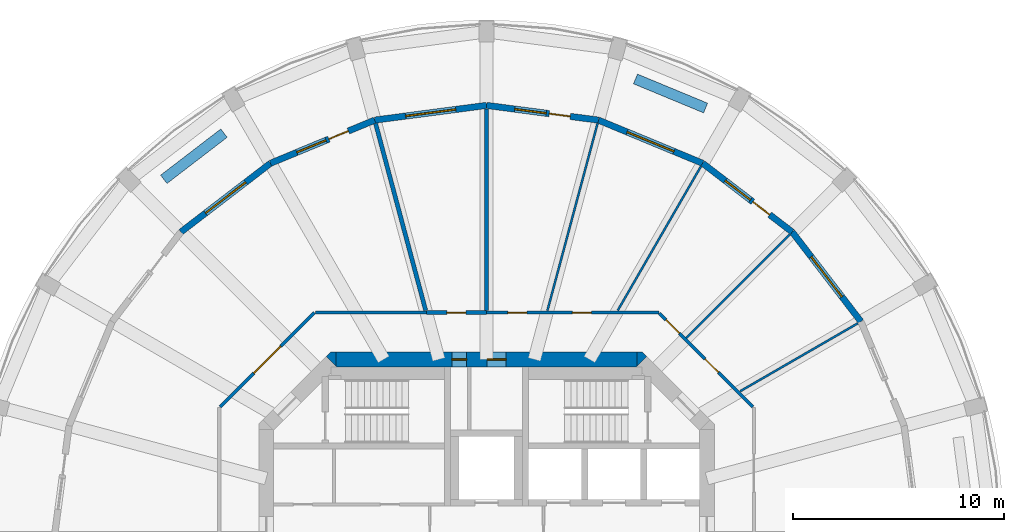
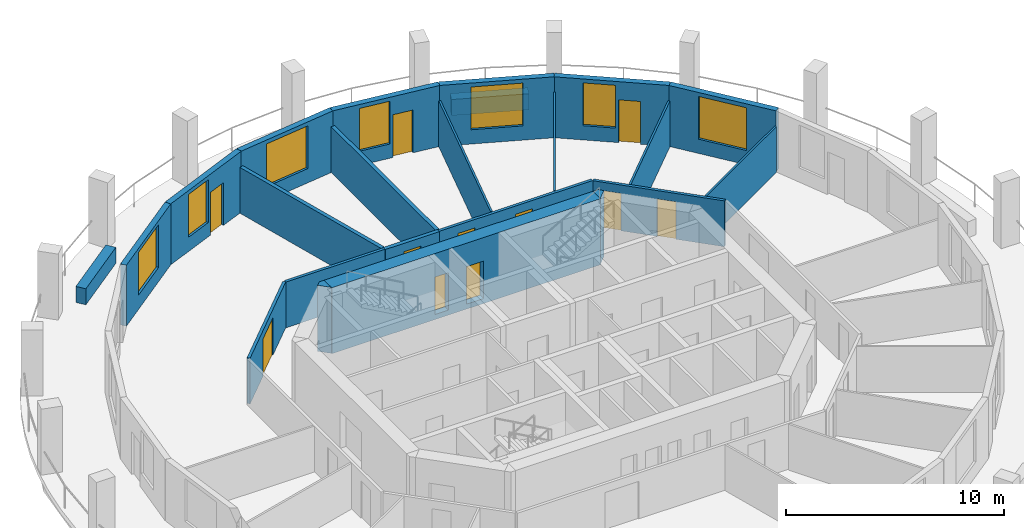
# One storey, part 6 of 9: 23 walls, 11 doors, 7 windows, 18 openings.
"""IFC4 building model written with IfcOpenShell, lengths in metres."""

from ifc_helpers import new_model, si_unit, direction, frame, frame_2d, origin, place, context, subcontext, project, spatial, polyline, rectangle, outline, extrude, material, layer, layer_set, type_object, element, fill, save


model = new_model("IFC4")

# Units and contexts
model_context = context("Model", 3, precision=1e-05, world=origin(), true_north=direction((0.0, 1.0)))
body_context = subcontext(model_context, "Body", "Model", "MODEL_VIEW")
ifc_project = project(units=[si_unit("LENGTHUNIT", "METRE"), si_unit("AREAUNIT", "SQUARE_METRE"), si_unit("VOLUMEUNIT", "CUBIC_METRE"), si_unit("PLANEANGLEUNIT", "RADIAN"), si_unit("MASSUNIT", "GRAM", prefix="KILO")], contexts=[model_context])

# Site, building, storey
site_placement = place(None, origin())
site = spatial("IfcSite", under=ifc_project, at=site_placement, CompositionType="ELEMENT")
building_placement = place(site_placement, origin())
building = spatial("IfcBuilding", under=site, at=building_placement, Name="Torre Triforio", CompositionType="ELEMENT")
storey_placement = place(building_placement, frame((0.0, 0.0, 226.10009765625)))
storey = spatial("IfcBuildingStorey", under=building, at=storey_placement, Name="L51", CompositionType="ELEMENT", Elevation=226.10009765625)

# Wall, openings, doors
ifc_material_1 = material(Name="Concrete C50", Category="concrete")
ifc_layer_1 = layer(ifc_material_1, 0.699951171875)
ifc_layer_set_1 = layer_set([ifc_layer_1], Name="Concrete C50")
wall_type_1 = type_object("IfcWallType", Name="Core wall 700 mm C50 EI 120", PredefinedType="SHEAR", material=ifc_layer_set_1)
wall_1_placement = place(storey_placement, frame((-7.1298828125, 8.449951171875, -0.280029296875), z_axis=(0.0, 0.0, 1.0), x_axis=(1.0, 0.0, 0.0)))
wall_1 = element("IfcWall", 1, at=wall_1_placement, inside=storey, type_object=wall_type_1, Name="Core wall", PredefinedType="SHEAR", context=body_context, shape_type="SweptSolid", body=[
    extrude(rectangle(XDim=14.259765625, YDim=0.699951171875, at=frame_2d((7.1298828125, 0.0))), origin(), (0.0, 0.0, 1.0), 3.699951171875),
])
opening_1_placement = place(wall_1_placement, frame((5.47998046875, 0.0, 0.280029296875)))
opening_1 = element("IfcOpeningElement", 2, at=opening_1_placement, cuts=wall_1, Name="Opening RISER-N", PredefinedType="OPENING", context=body_context, shape_type="SweptSolid", body=[
    extrude(rectangle(XDim=0.699951171875, YDim=2.10009765625, at=frame_2d((0.35009765625, 1.050048828125))), frame((0.0, 0.35986328125, 0.0), z_axis=(0.0, -1.0, 0.0), x_axis=(1.0, 0.0, 0.0)), (0.0, 0.0, 1.0), 0.719970703125),
])
opening_2_placement = place(wall_1_placement, frame((7.155029296875, 0.0, 0.280029296875)))
opening_2 = element("IfcOpeningElement", 3, at=opening_2_placement, cuts=wall_1, Name="Opening NE-01", PredefinedType="OPENING", context=body_context, shape_type="SweptSolid", body=[
    extrude(rectangle(XDim=0.89990234375, YDim=2.10009765625, at=frame_2d((0.449951171875, 1.050048828125))), frame((0.0, 0.35986328125, 0.0), z_axis=(0.0, -1.0, 0.0), x_axis=(1.0, 0.0, 0.0)), (0.0, 0.0, 1.0), 0.719970703125),
])
ifc_material_2 = material(Name="Hollow metal fire door leaf")
door_type_1 = type_object("IfcDoorType", Name="Riser door 700 x 2100 EI 60", OperationType="NOTDEFINED", PredefinedType="DOOR", material=ifc_material_2)
door_1_placement = place(opening_1_placement, origin())
door_1 = element("IfcDoor", 4, at=door_1_placement, inside=storey, type_object=door_type_1, Name="Core door RISER-N", OperationType="SINGLE_SWING_LEFT", OverallHeight=2.10009765625, OverallWidth=0.699951171875, PredefinedType="DOOR", context=body_context, shape_type="SweptSolid", body=[
    extrude(rectangle(XDim=0.699951171875, YDim=2.10009765625, at=frame_2d((0.35009765625, 1.050048828125))), frame((0.0, 0.02490234375, 0.0), z_axis=(0.0, -1.0, 0.0), x_axis=(1.0, 0.0, 0.0)), (0.0, 0.0, 1.0), 0.050048828125),
])
fill(opening_1, door_1)
door_type_2 = type_object("IfcDoorType", Name="Room door 900 x 2100 EI 60", OperationType="NOTDEFINED", PredefinedType="DOOR", material=ifc_material_2)
door_2_placement = place(opening_2_placement, origin())
door_2 = element("IfcDoor", 5, at=door_2_placement, inside=storey, type_object=door_type_2, Name="Core door NE-01", OperationType="SINGLE_SWING_RIGHT", OverallHeight=2.10009765625, OverallWidth=0.89990234375, PredefinedType="DOOR", context=body_context, shape_type="SweptSolid", body=[
    extrude(rectangle(XDim=0.89990234375, YDim=2.10009765625, at=frame_2d((0.449951171875, 1.050048828125))), frame((0.0, 0.02490234375, 0.0), z_axis=(0.0, -1.0, 0.0), x_axis=(1.0, 0.0, 0.0)), (0.0, 0.0, 1.0), 0.050048828125),
])
fill(opening_2, door_2)

# Walls
wall_2_placement = place(storey_placement, frame((0.0, 0.0, -0.280029296875)))
element("IfcWall", 6, at=wall_2_placement, inside=storey, type_object=wall_type_1, Name="Core wall", PredefinedType="SHEAR", context=body_context, shape_type="SweptSolid", body=[
    extrude(outline(polyline([(-7.389892578125, 8.800048828125), (-7.1298828125, 8.800048828125), (-7.1298828125, 8.800048828125), (-7.1298828125, 8.1298828125), (-7.594970703125, 8.594970703125), (-7.594970703125, 8.594970703125), (-7.594970703125, 8.594970703125), (-7.389892578125, 8.800048828125)])), origin(), (0.0, 0.0, 1.0), 3.699951171875),
])
wall_3_placement = place(storey_placement, frame((0.0, 0.0, -0.280029296875)))
element("IfcWall", 7, at=wall_3_placement, inside=storey, type_object=wall_type_1, Name="Core wall", PredefinedType="SHEAR", context=body_context, shape_type="SweptSolid", body=[
    extrude(outline(polyline([(7.389892578125, 8.800048828125), (7.594970703125, 8.594970703125), (7.594970703125, 8.594970703125), (7.594970703125, 8.594970703125), (7.1298828125, 8.1298828125), (7.1298828125, 8.800048828125), (7.1298828125, 8.800048828125), (7.389892578125, 8.800048828125)])), origin(), (0.0, 0.0, 1.0), 3.699951171875),
])

# Wall, opening, door
ifc_material_3 = material(Name="Plasterboard on metal studs")
ifc_layer_2 = layer(ifc_material_3, 0.14990234375)
ifc_layer_set_2 = layer_set([ifc_layer_2], Name="Plasterboard on metal studs")
wall_type_2 = type_object("IfcWallType", Name="Corridor and tenancy wall 150 mm EI 60", PredefinedType="PARTITIONING", material=ifc_layer_set_2)
wall_4_placement = place(storey_placement, frame((-12.637939453125, 6.20361328125, 0.0), z_axis=(0.0, 0.0, 1.0), x_axis=(0.707106781187, 0.707106781187, 0.0)))
wall_4 = element("IfcWall", 8, at=wall_4_placement, inside=storey, type_object=wall_type_2, Name="Partition 5", PredefinedType="PARTITIONING", context=body_context, shape_type="SweptSolid", body=[
    extrude(rectangle(XDim=6.323486328125, YDim=0.14990234375, at=frame_2d((3.16162109375, 0.0))), origin(), (0.0, 0.0, 1.0), 2.56982421875),
])
opening_3_placement = place(wall_4_placement, frame((2.26171875, 0.0, 0.0)))
opening_3 = element("IfcOpeningElement", 9, at=opening_3_placement, cuts=wall_4, Name="Opening O7-01", PredefinedType="OPENING", context=body_context, shape_type="SweptSolid", body=[
    extrude(rectangle(XDim=1.800048828125, YDim=2.10009765625, at=frame_2d((0.89990234375, 1.050048828125))), frame((0.0, 0.0849609375, 0.0), z_axis=(0.0, -1.0, 0.0), x_axis=(1.0, 0.0, 0.0)), (0.0, 0.0, 1.0), 0.169921875),
])
ifc_material_4 = material(Name="Timber", Category="wood")
door_type_3 = type_object("IfcDoorType", Name="Door 1800 x 2100 double leaf EI 30", OperationType="DOUBLE_DOOR_SINGLE_SWING", PredefinedType="DOOR", material=ifc_material_4)
door_3_placement = place(opening_3_placement, origin())
door_3 = element("IfcDoor", 10, at=door_3_placement, inside=storey, type_object=door_type_3, Name="Door O7-01", OperationType="DOUBLE_DOOR_SINGLE_SWING", OverallHeight=2.10009765625, OverallWidth=1.800048828125, PredefinedType="DOOR", context=body_context, shape_type="SweptSolid", body=[
    extrude(rectangle(XDim=1.800048828125, YDim=2.10009765625, at=frame_2d((0.89990234375, 1.050048828125))), frame((0.0, 0.02490234375, 0.0), z_axis=(0.0, -1.0, 0.0), x_axis=(1.0, 0.0, 0.0)), (0.0, 0.0, 1.0), 0.050048828125),
])
fill(opening_3, door_3)

# Wall
wall_5_placement = place(storey_placement, frame((-8.114013671875, 10.675048828125, 0.0), z_axis=(0.0, 0.0, 1.0), x_axis=(1.0, 0.0, 0.0)))
element("IfcWall", 11, at=wall_5_placement, inside=storey, type_object=wall_type_2, Name="Partition 6", PredefinedType="PARTITIONING", context=body_context, shape_type="SweptSolid", body=[
    extrude(rectangle(XDim=5.253662109375, YDim=0.14990234375, at=frame_2d((2.626953125, 0.0))), origin(), (0.0, 0.0, 1.0), 2.56982421875),
])

# Wall, openings, doors
wall_6_placement = place(storey_placement, frame((0.0, 10.675048828125, 0.0), z_axis=(0.0, 0.0, 1.0), x_axis=(1.0, 0.0, 0.0)))
wall_6 = element("IfcWall", 12, at=wall_6_placement, inside=storey, type_object=wall_type_2, Name="Partition 8", PredefinedType="PARTITIONING", context=body_context, shape_type="SweptSolid", body=[
    extrude(rectangle(XDim=8.16650390625, YDim=0.14990234375, at=frame_2d((4.083251953125, 0.0))), origin(), (0.0, 0.0, 1.0), 2.56982421875),
])
opening_4_placement = place(wall_6_placement, frame((4.065673828125, 0.0, 0.0)))
opening_4 = element("IfcOpeningElement", 13, at=opening_4_placement, cuts=wall_6, Name="Opening O7-14", PredefinedType="OPENING", context=body_context, shape_type="SweptSolid", body=[
    extrude(rectangle(XDim=0.89990234375, YDim=2.10009765625, at=frame_2d((0.449951171875, 1.050048828125))), frame((0.0, 0.0849609375, 0.0), z_axis=(0.0, -1.0, 0.0), x_axis=(1.0, 0.0, 0.0)), (0.0, 0.0, 1.0), 0.169921875),
])
opening_5_placement = place(wall_6_placement, frame((1.006103515625, 0.0, 0.0)))
opening_5 = element("IfcOpeningElement", 14, at=opening_5_placement, cuts=wall_6, Name="Opening O7-15", PredefinedType="OPENING", context=body_context, shape_type="SweptSolid", body=[
    extrude(rectangle(XDim=0.89990234375, YDim=2.10009765625, at=frame_2d((0.449951171875, 1.050048828125))), frame((0.0, 0.0849609375, 0.0), z_axis=(0.0, -1.0, 0.0), x_axis=(1.0, 0.0, 0.0)), (0.0, 0.0, 1.0), 0.169921875),
])
door_type_4 = type_object("IfcDoorType", Name="Door 900 x 2100 single leaf EI 30", OperationType="NOTDEFINED", PredefinedType="DOOR", material=ifc_material_4)
door_4_placement = place(opening_4_placement, origin())
door_4 = element("IfcDoor", 15, at=door_4_placement, inside=storey, type_object=door_type_4, Name="Door O7-14", OperationType="SINGLE_SWING_LEFT", OverallHeight=2.10009765625, OverallWidth=0.89990234375, PredefinedType="DOOR", context=body_context, shape_type="SweptSolid", body=[
    extrude(rectangle(XDim=0.89990234375, YDim=2.10009765625, at=frame_2d((0.449951171875, 1.050048828125))), frame((0.0, 0.02490234375, 0.0), z_axis=(0.0, -1.0, 0.0), x_axis=(1.0, 0.0, 0.0)), (0.0, 0.0, 1.0), 0.050048828125),
])
fill(opening_4, door_4)
door_5_placement = place(opening_5_placement, origin())
door_5 = element("IfcDoor", 16, at=door_5_placement, inside=storey, type_object=door_type_4, Name="Door O7-15", OperationType="SINGLE_SWING_RIGHT", OverallHeight=2.10009765625, OverallWidth=0.89990234375, PredefinedType="DOOR", context=body_context, shape_type="SweptSolid", body=[
    extrude(rectangle(XDim=0.89990234375, YDim=2.10009765625, at=frame_2d((0.449951171875, 1.050048828125))), frame((0.0, 0.02490234375, 0.0), z_axis=(0.0, -1.0, 0.0), x_axis=(1.0, 0.0, 0.0)), (0.0, 0.0, 1.0), 0.050048828125),
])
fill(opening_5, door_5)

wall_7_placement = place(storey_placement, frame((8.20361328125, 10.637939453125, 0.0), z_axis=(0.0, 0.0, 1.0), x_axis=(0.707106781187, -0.707106781187, 0.0)))
wall_7 = element("IfcWall", 17, at=wall_7_placement, inside=storey, type_object=wall_type_2, Name="Partition 9", PredefinedType="PARTITIONING", context=body_context, shape_type="SweptSolid", body=[
    extrude(rectangle(XDim=6.27099609375, YDim=0.14990234375, at=frame_2d((3.135498046875, 0.0))), origin(), (0.0, 0.0, 1.0), 2.56982421875),
])
opening_6_placement = place(wall_7_placement, frame((3.056884765625, 0.0, 0.0)))
opening_6 = element("IfcOpeningElement", 18, at=opening_6_placement, cuts=wall_7, Name="Opening O7-12", PredefinedType="OPENING", context=body_context, shape_type="SweptSolid", body=[
    extrude(rectangle(XDim=0.89990234375, YDim=2.10009765625, at=frame_2d((0.449951171875, 1.050048828125))), frame((0.0, 0.0849609375, 0.0), z_axis=(0.0, -1.0, 0.0), x_axis=(1.0, 0.0, 0.0)), (0.0, 0.0, 1.0), 0.169921875),
])
opening_7_placement = place(wall_7_placement, frame((0.435546875, 0.0, 0.0)))
opening_7 = element("IfcOpeningElement", 19, at=opening_7_placement, cuts=wall_7, Name="Opening O7-13", PredefinedType="OPENING", context=body_context, shape_type="SweptSolid", body=[
    extrude(rectangle(XDim=0.89990234375, YDim=2.10009765625, at=frame_2d((0.449951171875, 1.050048828125))), frame((0.0, 0.0849609375, 0.0), z_axis=(0.0, -1.0, 0.0), x_axis=(1.0, 0.0, 0.0)), (0.0, 0.0, 1.0), 0.169921875),
])
door_6_placement = place(opening_6_placement, origin())
door_6 = element("IfcDoor", 20, at=door_6_placement, inside=storey, type_object=door_type_4, Name="Door O7-12", OperationType="SINGLE_SWING_LEFT", OverallHeight=2.10009765625, OverallWidth=0.89990234375, PredefinedType="DOOR", context=body_context, shape_type="SweptSolid", body=[
    extrude(rectangle(XDim=0.89990234375, YDim=2.10009765625, at=frame_2d((0.449951171875, 1.050048828125))), frame((0.0, 0.02490234375, 0.0), z_axis=(0.0, -1.0, 0.0), x_axis=(1.0, 0.0, 0.0)), (0.0, 0.0, 1.0), 0.050048828125),
])
fill(opening_6, door_6)
door_7_placement = place(opening_7_placement, origin())
door_7 = element("IfcDoor", 21, at=door_7_placement, inside=storey, type_object=door_type_4, Name="Door O7-13", OperationType="SINGLE_SWING_LEFT", OverallHeight=2.10009765625, OverallWidth=0.89990234375, PredefinedType="DOOR", context=body_context, shape_type="SweptSolid", body=[
    extrude(rectangle(XDim=0.89990234375, YDim=2.10009765625, at=frame_2d((0.449951171875, 1.050048828125))), frame((0.0, 0.02490234375, 0.0), z_axis=(0.0, -1.0, 0.0), x_axis=(1.0, 0.0, 0.0)), (0.0, 0.0, 1.0), 0.050048828125),
])
fill(opening_7, door_7)

# Walls
ifc_layer_3 = layer(ifc_material_3, 0.10009765625)
ifc_layer_set_3 = layer_set([ifc_layer_3], Name="Plasterboard on metal studs")
wall_type_3 = type_object("IfcWallType", Name="Partition 100 mm board on metal studs", PredefinedType="PARTITIONING", material=ifc_layer_set_3)
wall_8_placement = place(storey_placement, frame((12.025146484375, 6.94287109375, 0.0), z_axis=(0.0, 0.0, 1.0), x_axis=(0.866026773083, 0.499997628298, 0.0)))
element("IfcWall", 22, at=wall_8_placement, inside=storey, type_object=wall_type_3, Name="Partition 12", PredefinedType="PARTITIONING", context=body_context, shape_type="SweptSolid", body=[
    extrude(rectangle(XDim=6.451171875, YDim=0.10009765625, at=frame_2d((3.2255859375, 0.0))), origin(), (0.0, 0.0, 1.0), 2.56982421875),
])
wall_9_placement = place(storey_placement, frame((9.473876953125, 9.473876953125, 0.0), z_axis=(0.0, 0.0, 1.0), x_axis=(0.707106781187, 0.707106781187, 0.0)))
element("IfcWall", 23, at=wall_9_placement, inside=storey, type_object=wall_type_3, Name="Partition 13", PredefinedType="PARTITIONING", context=body_context, shape_type="SweptSolid", body=[
    extrude(rectangle(XDim=6.9384765625, YDim=0.10009765625, at=frame_2d((3.46923828125, 0.0))), origin(), (0.0, 0.0, 1.0), 2.56982421875),
])
wall_10_placement = place(storey_placement, frame((6.220703125, 10.774658203125, 0.0), z_axis=(0.0, 0.0, 1.0), x_axis=(0.500016891966, 0.866015650984, 0.0)))
element("IfcWall", 24, at=wall_10_placement, inside=storey, type_object=wall_type_3, Name="Partition 14", PredefinedType="PARTITIONING", context=body_context, shape_type="SweptSolid", body=[
    extrude(rectangle(XDim=7.895263671875, YDim=0.10009765625, at=frame_2d((3.94775390625, 0.0))), origin(), (0.0, 0.0, 1.0), 2.56982421875),
])
wall_11_placement = place(storey_placement, frame((2.88427734375, 10.764404296875, 0.0), z_axis=(0.0, 0.0, 1.0), x_axis=(0.258811310764, 0.965927898666, 0.0)))
element("IfcWall", 25, at=wall_11_placement, inside=storey, type_object=wall_type_3, Name="Partition 15", PredefinedType="PARTITIONING", context=body_context, shape_type="SweptSolid", body=[
    extrude(rectangle(XDim=9.192626953125, YDim=0.10009765625, at=frame_2d((4.59619140625, 0.0))), origin(), (0.0, 0.0, 1.0), 2.56982421875),
])

# Wall, opening, door
ifc_material_5 = material(Name="Masonry block", Category="masonry")
ifc_layer_4 = layer(ifc_material_5, 0.199951171875)
ifc_layer_set_4 = layer_set([ifc_layer_4], Name="Masonry block")
wall_type_4 = type_object("IfcWallType", Name="Plant room wall 200 mm block EI 120", PredefinedType="PARTITIONING", material=ifc_layer_set_4)
wall_12_placement = place(storey_placement, frame((-2.8603515625, 10.675048828125, 0.0), z_axis=(0.0, 0.0, 1.0), x_axis=(1.0, 0.0, 0.0)))
wall_12 = element("IfcWall", 26, at=wall_12_placement, inside=storey, type_object=wall_type_4, Name="Partition 7", PredefinedType="PARTITIONING", context=body_context, shape_type="SweptSolid", body=[
    extrude(rectangle(XDim=2.8603515625, YDim=0.199951171875, at=frame_2d((1.43017578125, 0.0))), origin(), (0.0, 0.0, 1.0), 2.56982421875),
])
opening_8_placement = place(wall_12_placement, frame((0.980224609375, 0.0, 0.0)))
opening_8 = element("IfcOpeningElement", 27, at=opening_8_placement, cuts=wall_12, Name="Opening O7-16", PredefinedType="OPENING", context=body_context, shape_type="SweptSolid", body=[
    extrude(rectangle(XDim=0.89990234375, YDim=2.10009765625, at=frame_2d((0.449951171875, 1.050048828125))), frame((0.0, 0.10986328125, 0.0), z_axis=(0.0, -1.0, 0.0), x_axis=(1.0, 0.0, 0.0)), (0.0, 0.0, 1.0), 0.219970703125),
])
door_type_5 = type_object("IfcDoorType", Name="Door 900 x 2100 single leaf EI 60", OperationType="NOTDEFINED", PredefinedType="DOOR", material=ifc_material_2)
door_8_placement = place(opening_8_placement, origin())
door_8 = element("IfcDoor", 28, at=door_8_placement, inside=storey, type_object=door_type_5, Name="Door O7-16", OperationType="SINGLE_SWING_LEFT", OverallHeight=2.10009765625, OverallWidth=0.89990234375, PredefinedType="DOOR", context=body_context, shape_type="SweptSolid", body=[
    extrude(rectangle(XDim=0.89990234375, YDim=2.10009765625, at=frame_2d((0.449951171875, 1.050048828125))), frame((0.0, 0.02490234375, 0.0), z_axis=(0.0, -1.0, 0.0), x_axis=(1.0, 0.0, 0.0)), (0.0, 0.0, 1.0), 0.050048828125),
])
fill(opening_8, door_8)

# Walls
wall_13_placement = place(storey_placement, frame((0.0, 10.77490234375, 0.0), z_axis=(0.0, 0.0, 1.0), x_axis=(0.0, 1.0, 0.0)))
element("IfcWall", 29, at=wall_13_placement, inside=storey, type_object=wall_type_4, Name="Partition 16", PredefinedType="PARTITIONING", context=body_context, shape_type="SweptSolid", body=[
    extrude(rectangle(XDim=9.561767578125, YDim=0.199951171875, at=frame_2d((4.78076171875, 0.0))), origin(), (0.0, 0.0, 1.0), 2.56982421875),
])
wall_14_placement = place(storey_placement, frame((-2.887451171875, 10.7763671875, 0.0), z_axis=(0.0, 0.0, 1.0), x_axis=(-0.258814513846, 0.965927040424, 0.0)))
element("IfcWall", 30, at=wall_14_placement, inside=storey, type_object=wall_type_4, Name="Partition 17", PredefinedType="PARTITIONING", context=body_context, shape_type="SweptSolid", body=[
    extrude(rectangle(XDim=9.18017578125, YDim=0.199951171875, at=frame_2d((4.590087890625, 0.0))), origin(), (0.0, 0.0, 1.0), 2.56982421875),
])
ifc_material_6 = material(Name="Limestone cladding", Category="masonry")
ifc_layer_5 = layer(ifc_material_6, 0.10009765625)
ifc_material_7 = material(Name="Concrete C40", Category="concrete")
ifc_layer_6 = layer(ifc_material_7, 0.39990234375)
ifc_layer_set_5 = layer_set([ifc_layer_5, ifc_layer_6], Name="Limestone cladding / Concrete C40")
wall_type_5 = type_object("IfcWallType", Name="Planter wall 500", PredefinedType="PARAPET", material=ifc_layer_set_5)
for number, where, z_axis, x_axis, name in (
    (31, (10.38818359375, 20.37548828125, 0.0), (0.0, 0.0, 1.0), (-0.923851510231, 0.38275107713, 0.0), "Planter L51 bay 05"),
    (32, (-12.45166015625, 19.18408203125, 0.0), (0.0, 0.0, 1.0), (-0.793384730612, -0.608720518162, 0.0), "Planter L51 bay 09"),
):
    element("IfcWall", number, at=place(storey_placement, frame(where, z_axis=z_axis, x_axis=x_axis)), inside=storey, type_object=wall_type_5, Name=name, PredefinedType="PARAPET", context=body_context, shape_type="SweptSolid", body=[
        extrude(rectangle(XDim=3.60009765625, YDim=0.5, at=frame_2d((1.800048828125, 0.0))), origin(), (0.0, 0.0, 1.0), 0.89990234375),
    ])

# Wall, opening, window
ifc_layer_7 = layer(ifc_material_6, 0.10009765625)
ifc_layer_8 = layer(ifc_material_7, 0.199951171875)
ifc_layer_set_6 = layer_set([ifc_layer_7, ifc_layer_8], Name="Limestone cladding / Concrete C40")
wall_type_6 = type_object("IfcWallType", Name="Stone-faced composite wall 300", PredefinedType="STANDARD", material=ifc_layer_set_6)
wall_15_placement = place(storey_placement, frame((17.75341796875, 10.25, 0.0), z_axis=(0.0, 0.0, 1.0), x_axis=(-0.60876670321, 0.793349293227, 0.0)))
wall_15 = element("IfcWall", 33, at=wall_15_placement, inside=storey, type_object=wall_type_6, Name="External wall L51 bay 03", PredefinedType="STANDARD", context=body_context, shape_type="SweptSolid", body=[
    extrude(rectangle(XDim=5.3515625, YDim=0.300048828125, at=frame_2d((2.67578125, 0.0))), origin(), (0.0, 0.0, 1.0), 3.419921875),
])
opening_9_placement = place(wall_15_placement, frame((1.475830078125, 0.0, 0.800048828125)))
opening_9 = element("IfcOpeningElement", 34, at=opening_9_placement, cuts=wall_15, Name="Opening O7-W03", PredefinedType="OPENING", context=body_context, shape_type="SweptSolid", body=[
    extrude(rectangle(XDim=2.39990234375, YDim=2.39990234375, at=frame_2d((1.199951171875, 1.199951171875))), frame((0.0, 0.159912109375, 0.0), z_axis=(0.0, -1.0, 0.0), x_axis=(1.0, 0.0, 0.0)), (0.0, 0.0, 1.0), 0.320068359375),
])
ifc_material_8 = material(Name="Aluminium frame with clear double glazing", Category="aluminium")
window_type_1 = type_object("IfcWindowType", Name="Punched window 2400 x 2400", PartitioningType="DOUBLE_PANEL_VERTICAL", PredefinedType="WINDOW", material=ifc_material_8)
window_1_placement = place(opening_9_placement, origin())
window_1 = element("IfcWindow", 35, at=window_1_placement, inside=storey, type_object=window_type_1, Name="Window EWN4 L51 bay 03", OverallHeight=2.39990234375, OverallWidth=2.39990234375, PartitioningType="SINGLE_PANEL", PredefinedType="WINDOW", context=body_context, shape_type="SweptSolid", body=[
    extrude(rectangle(XDim=2.39990234375, YDim=2.39990234375, at=frame_2d((1.199951171875, 1.199951171875))), frame((0.0, 0.030029296875, 0.0), z_axis=(0.0, -1.0, 0.0), x_axis=(1.0, 0.0, 0.0)), (0.0, 0.0, 1.0), 0.06005859375),
])
fill(opening_9, window_1)

# Wall, openings, door, window
wall_16_placement = place(storey_placement, frame((14.49560546875, 14.49560546875, 0.0), z_axis=(0.0, 0.0, 1.0), x_axis=(-0.793349293227, 0.60876670321, 0.0)))
wall_16 = element("IfcWall", 36, at=wall_16_placement, inside=storey, type_object=wall_type_6, Name="External wall L51 bay 04", PredefinedType="STANDARD", context=body_context, shape_type="SweptSolid", body=[
    extrude(rectangle(XDim=5.3515625, YDim=0.300048828125, at=frame_2d((2.67578125, 0.0))), origin(), (0.0, 0.0, 1.0), 3.419921875),
])
opening_10_placement = place(wall_16_placement, frame((1.350830078125, 0.0, 0.0)))
opening_10 = element("IfcOpeningElement", 37, at=opening_10_placement, cuts=wall_16, Name="Opening O7-D04", PredefinedType="OPENING", context=body_context, shape_type="SweptSolid", body=[
    extrude(rectangle(XDim=1.0, YDim=2.39990234375, at=frame_2d((0.5, 1.199951171875))), frame((0.0, 0.159912109375, 0.0), z_axis=(0.0, -1.0, 0.0), x_axis=(1.0, 0.0, 0.0)), (0.0, 0.0, 1.0), 0.320068359375),
])
opening_11_placement = place(wall_16_placement, frame((2.500732421875, 0.0, 0.800048828125)))
opening_11 = element("IfcOpeningElement", 38, at=opening_11_placement, cuts=wall_16, Name="Opening O7-W04A", PredefinedType="OPENING", context=body_context, shape_type="SweptSolid", body=[
    extrude(rectangle(XDim=1.5, YDim=2.39990234375, at=frame_2d((0.75, 1.199951171875))), frame((0.0, 0.159912109375, 0.0), z_axis=(0.0, -1.0, 0.0), x_axis=(1.0, 0.0, 0.0)), (0.0, 0.0, 1.0), 0.320068359375),
])
door_type_6 = type_object("IfcDoorType", Name="Loggia door 1000 x 2400", OperationType="NOTDEFINED", PredefinedType="DOOR", material=ifc_material_8)
door_9_placement = place(opening_10_placement, origin())
door_9 = element("IfcDoor", 39, at=door_9_placement, inside=storey, type_object=door_type_6, Name="Loggia door L51 bay 04", OperationType="SINGLE_SWING_LEFT", OverallHeight=2.39990234375, OverallWidth=1.0, PredefinedType="DOOR", context=body_context, shape_type="SweptSolid", body=[
    extrude(rectangle(XDim=1.0, YDim=2.39990234375, at=frame_2d((0.5, 1.199951171875))), frame((0.0, 0.02490234375, 0.0), z_axis=(0.0, -1.0, 0.0), x_axis=(1.0, 0.0, 0.0)), (0.0, 0.0, 1.0), 0.050048828125),
])
fill(opening_10, door_9)
window_type_2 = type_object("IfcWindowType", Name="Side window 1500 x 2400", PartitioningType="SINGLE_PANEL", PredefinedType="WINDOW", material=ifc_material_8)
window_2_placement = place(opening_11_placement, origin())
window_2 = element("IfcWindow", 40, at=window_2_placement, inside=storey, type_object=window_type_2, Name="Side window EWN14 L51 bay 04", OverallHeight=2.39990234375, OverallWidth=1.5, PartitioningType="SINGLE_PANEL", PredefinedType="WINDOW", context=body_context, shape_type="SweptSolid", body=[
    extrude(rectangle(XDim=1.5, YDim=2.39990234375, at=frame_2d((0.75, 1.199951171875))), frame((0.0, 0.030029296875, 0.0), z_axis=(0.0, -1.0, 0.0), x_axis=(1.0, 0.0, 0.0)), (0.0, 0.0, 1.0), 0.06005859375),
])
fill(opening_11, window_2)

# Wall, opening, window
wall_17_placement = place(storey_placement, frame((10.25, 17.75341796875, 0.0), z_axis=(0.0, 0.0, 1.0), x_axis=(-0.923867255172, 0.382713071139, 0.0)))
wall_17 = element("IfcWall", 41, at=wall_17_placement, inside=storey, type_object=wall_type_6, Name="External wall L51 bay 05", PredefinedType="STANDARD", context=body_context, shape_type="SweptSolid", body=[
    extrude(rectangle(XDim=5.3515625, YDim=0.300048828125, at=frame_2d((2.67578125, 0.0))), origin(), (0.0, 0.0, 1.0), 3.419921875),
])
opening_12_placement = place(wall_17_placement, frame((1.475830078125, 0.0, 0.800048828125)))
opening_12 = element("IfcOpeningElement", 42, at=opening_12_placement, cuts=wall_17, Name="Opening O7-W05", PredefinedType="OPENING", context=body_context, shape_type="SweptSolid", body=[
    extrude(rectangle(XDim=2.39990234375, YDim=2.39990234375, at=frame_2d((1.199951171875, 1.199951171875))), frame((0.0, 0.159912109375, 0.0), z_axis=(0.0, -1.0, 0.0), x_axis=(1.0, 0.0, 0.0)), (0.0, 0.0, 1.0), 0.320068359375),
])
window_3_placement = place(opening_12_placement, origin())
window_3 = element("IfcWindow", 43, at=window_3_placement, inside=storey, type_object=window_type_1, Name="Window EWN4 L51 bay 05", OverallHeight=2.39990234375, OverallWidth=2.39990234375, PartitioningType="SINGLE_PANEL", PredefinedType="WINDOW", context=body_context, shape_type="SweptSolid", body=[
    extrude(rectangle(XDim=2.39990234375, YDim=2.39990234375, at=frame_2d((1.199951171875, 1.199951171875))), frame((0.0, 0.030029296875, 0.0), z_axis=(0.0, -1.0, 0.0), x_axis=(1.0, 0.0, 0.0)), (0.0, 0.0, 1.0), 0.06005859375),
])
fill(opening_12, window_3)

# Wall, openings, door, window
wall_18_placement = place(storey_placement, frame((5.305908203125, 19.801513671875, 0.0), z_axis=(0.0, 0.0, 1.0), x_axis=(-0.991446064069, 0.130517056518, 0.0)))
wall_18 = element("IfcWall", 44, at=wall_18_placement, inside=storey, type_object=wall_type_6, Name="External wall L51 bay 06", PredefinedType="STANDARD", context=body_context, shape_type="SweptSolid", body=[
    extrude(rectangle(XDim=5.351806640625, YDim=0.300048828125, at=frame_2d((2.67578125, 0.0))), origin(), (0.0, 0.0, 1.0), 3.419921875),
])
opening_13_placement = place(wall_18_placement, frame((1.350830078125, 0.0, 0.0)))
opening_13 = element("IfcOpeningElement", 45, at=opening_13_placement, cuts=wall_18, Name="Opening O7-D06", PredefinedType="OPENING", context=body_context, shape_type="SweptSolid", body=[
    extrude(rectangle(XDim=1.0, YDim=2.39990234375, at=frame_2d((0.5, 1.199951171875))), frame((0.0, 0.159912109375, 0.0), z_axis=(0.0, -1.0, 0.0), x_axis=(1.0, 0.0, 0.0)), (0.0, 0.0, 1.0), 0.320068359375),
])
opening_14_placement = place(wall_18_placement, frame((2.500732421875, 0.0, 0.800048828125)))
opening_14 = element("IfcOpeningElement", 46, at=opening_14_placement, cuts=wall_18, Name="Opening O7-W06A", PredefinedType="OPENING", context=body_context, shape_type="SweptSolid", body=[
    extrude(rectangle(XDim=1.5, YDim=2.39990234375, at=frame_2d((0.75, 1.199951171875))), frame((0.0, 0.159912109375, 0.0), z_axis=(0.0, -1.0, 0.0), x_axis=(1.0, 0.0, 0.0)), (0.0, 0.0, 1.0), 0.320068359375),
])
door_10_placement = place(opening_13_placement, origin())
door_10 = element("IfcDoor", 47, at=door_10_placement, inside=storey, type_object=door_type_6, Name="Loggia door L51 bay 06", OperationType="SINGLE_SWING_LEFT", OverallHeight=2.39990234375, OverallWidth=1.0, PredefinedType="DOOR", context=body_context, shape_type="SweptSolid", body=[
    extrude(rectangle(XDim=1.0, YDim=2.39990234375, at=frame_2d((0.5, 1.199951171875))), frame((0.0, 0.02490234375, 0.0), z_axis=(0.0, -1.0, 0.0), x_axis=(1.0, 0.0, 0.0)), (0.0, 0.0, 1.0), 0.050048828125),
])
fill(opening_13, door_10)
window_4_placement = place(opening_14_placement, origin())
window_4 = element("IfcWindow", 48, at=window_4_placement, inside=storey, type_object=window_type_2, Name="Side window EWN14 L51 bay 06", OverallHeight=2.39990234375, OverallWidth=1.5, PartitioningType="SINGLE_PANEL", PredefinedType="WINDOW", context=body_context, shape_type="SweptSolid", body=[
    extrude(rectangle(XDim=1.5, YDim=2.39990234375, at=frame_2d((0.75, 1.199951171875))), frame((0.0, 0.030029296875, 0.0), z_axis=(0.0, -1.0, 0.0), x_axis=(1.0, 0.0, 0.0)), (0.0, 0.0, 1.0), 0.06005859375),
])
fill(opening_14, window_4)

# Wall, opening, window
wall_19_placement = place(storey_placement, frame((0.0, 20.5, 0.0), z_axis=(0.0, 0.0, 1.0), x_axis=(-0.991446064069, -0.130517056518, 0.0)))
wall_19 = element("IfcWall", 49, at=wall_19_placement, inside=storey, type_object=wall_type_6, Name="External wall L51 bay 07", PredefinedType="STANDARD", context=body_context, shape_type="SweptSolid", body=[
    extrude(rectangle(XDim=5.351806640625, YDim=0.300048828125, at=frame_2d((2.67578125, 0.0))), origin(), (0.0, 0.0, 1.0), 3.419921875),
])
opening_15_placement = place(wall_19_placement, frame((1.475830078125, 0.0, 0.800048828125)))
opening_15 = element("IfcOpeningElement", 50, at=opening_15_placement, cuts=wall_19, Name="Opening O7-W07", PredefinedType="OPENING", context=body_context, shape_type="SweptSolid", body=[
    extrude(rectangle(XDim=2.39990234375, YDim=2.39990234375, at=frame_2d((1.199951171875, 1.199951171875))), frame((0.0, 0.159912109375, 0.0), z_axis=(0.0, -1.0, 0.0), x_axis=(1.0, 0.0, 0.0)), (0.0, 0.0, 1.0), 0.320068359375),
])
window_5_placement = place(opening_15_placement, origin())
window_5 = element("IfcWindow", 51, at=window_5_placement, inside=storey, type_object=window_type_1, Name="Window EWN4 L51 bay 07", OverallHeight=2.39990234375, OverallWidth=2.39990234375, PartitioningType="SINGLE_PANEL", PredefinedType="WINDOW", context=body_context, shape_type="SweptSolid", body=[
    extrude(rectangle(XDim=2.39990234375, YDim=2.39990234375, at=frame_2d((1.199951171875, 1.199951171875))), frame((0.0, 0.030029296875, 0.0), z_axis=(0.0, -1.0, 0.0), x_axis=(1.0, 0.0, 0.0)), (0.0, 0.0, 1.0), 0.06005859375),
])
fill(opening_15, window_5)

# Wall, openings, door, window
wall_20_placement = place(storey_placement, frame((-5.305908203125, 19.801513671875, 0.0), z_axis=(0.0, 0.0, 1.0), x_axis=(-0.923867255172, -0.382713071139, 0.0)))
wall_20 = element("IfcWall", 52, at=wall_20_placement, inside=storey, type_object=wall_type_6, Name="External wall L51 bay 08", PredefinedType="STANDARD", context=body_context, shape_type="SweptSolid", body=[
    extrude(rectangle(XDim=5.3515625, YDim=0.300048828125, at=frame_2d((2.67578125, 0.0))), origin(), (0.0, 0.0, 1.0), 3.419921875),
])
opening_16_placement = place(wall_20_placement, frame((1.350830078125, 0.0, 0.0)))
opening_16 = element("IfcOpeningElement", 53, at=opening_16_placement, cuts=wall_20, Name="Opening O7-D08", PredefinedType="OPENING", context=body_context, shape_type="SweptSolid", body=[
    extrude(rectangle(XDim=1.0, YDim=2.39990234375, at=frame_2d((0.5, 1.199951171875))), frame((0.0, 0.159912109375, 0.0), z_axis=(0.0, -1.0, 0.0), x_axis=(1.0, 0.0, 0.0)), (0.0, 0.0, 1.0), 0.320068359375),
])
opening_17_placement = place(wall_20_placement, frame((2.500732421875, 0.0, 0.800048828125)))
opening_17 = element("IfcOpeningElement", 54, at=opening_17_placement, cuts=wall_20, Name="Opening O7-W08A", PredefinedType="OPENING", context=body_context, shape_type="SweptSolid", body=[
    extrude(rectangle(XDim=1.5, YDim=2.39990234375, at=frame_2d((0.75, 1.199951171875))), frame((0.0, 0.159912109375, 0.0), z_axis=(0.0, -1.0, 0.0), x_axis=(1.0, 0.0, 0.0)), (0.0, 0.0, 1.0), 0.320068359375),
])
door_11_placement = place(opening_16_placement, origin())
door_11 = element("IfcDoor", 55, at=door_11_placement, inside=storey, type_object=door_type_6, Name="Loggia door L51 bay 08", OperationType="SINGLE_SWING_LEFT", OverallHeight=2.39990234375, OverallWidth=1.0, PredefinedType="DOOR", context=body_context, shape_type="SweptSolid", body=[
    extrude(rectangle(XDim=1.0, YDim=2.39990234375, at=frame_2d((0.5, 1.199951171875))), frame((0.0, 0.02490234375, 0.0), z_axis=(0.0, -1.0, 0.0), x_axis=(1.0, 0.0, 0.0)), (0.0, 0.0, 1.0), 0.050048828125),
])
fill(opening_16, door_11)
window_6_placement = place(opening_17_placement, origin())
window_6 = element("IfcWindow", 56, at=window_6_placement, inside=storey, type_object=window_type_2, Name="Side window EWN14 L51 bay 08", OverallHeight=2.39990234375, OverallWidth=1.5, PartitioningType="SINGLE_PANEL", PredefinedType="WINDOW", context=body_context, shape_type="SweptSolid", body=[
    extrude(rectangle(XDim=1.5, YDim=2.39990234375, at=frame_2d((0.75, 1.199951171875))), frame((0.0, 0.030029296875, 0.0), z_axis=(0.0, -1.0, 0.0), x_axis=(1.0, 0.0, 0.0)), (0.0, 0.0, 1.0), 0.06005859375),
])
fill(opening_17, window_6)

# Wall, opening, window
wall_21_placement = place(storey_placement, frame((-10.25, 17.75341796875, 0.0), z_axis=(0.0, 0.0, 1.0), x_axis=(-0.793349293227, -0.60876670321, 0.0)))
wall_21 = element("IfcWall", 57, at=wall_21_placement, inside=storey, type_object=wall_type_6, Name="External wall L51 bay 09", PredefinedType="STANDARD", context=body_context, shape_type="SweptSolid", body=[
    extrude(rectangle(XDim=5.3515625, YDim=0.300048828125, at=frame_2d((2.67578125, 0.0))), origin(), (0.0, 0.0, 1.0), 3.419921875),
])
opening_18_placement = place(wall_21_placement, frame((1.475830078125, 0.0, 0.800048828125)))
opening_18 = element("IfcOpeningElement", 58, at=opening_18_placement, cuts=wall_21, Name="Opening O7-W09", PredefinedType="OPENING", context=body_context, shape_type="SweptSolid", body=[
    extrude(rectangle(XDim=2.39990234375, YDim=2.39990234375, at=frame_2d((1.199951171875, 1.199951171875))), frame((0.0, 0.159912109375, 0.0), z_axis=(0.0, -1.0, 0.0), x_axis=(1.0, 0.0, 0.0)), (0.0, 0.0, 1.0), 0.320068359375),
])
window_7_placement = place(opening_18_placement, origin())
window_7 = element("IfcWindow", 59, at=window_7_placement, inside=storey, type_object=window_type_1, Name="Window EWN4 L51 bay 09", OverallHeight=2.39990234375, OverallWidth=2.39990234375, PartitioningType="SINGLE_PANEL", PredefinedType="WINDOW", context=body_context, shape_type="SweptSolid", body=[
    extrude(rectangle(XDim=2.39990234375, YDim=2.39990234375, at=frame_2d((1.199951171875, 1.199951171875))), frame((0.0, 0.030029296875, 0.0), z_axis=(0.0, -1.0, 0.0), x_axis=(1.0, 0.0, 0.0)), (0.0, 0.0, 1.0), 0.06005859375),
])
fill(opening_18, window_7)

save(model, "model.ifc")
